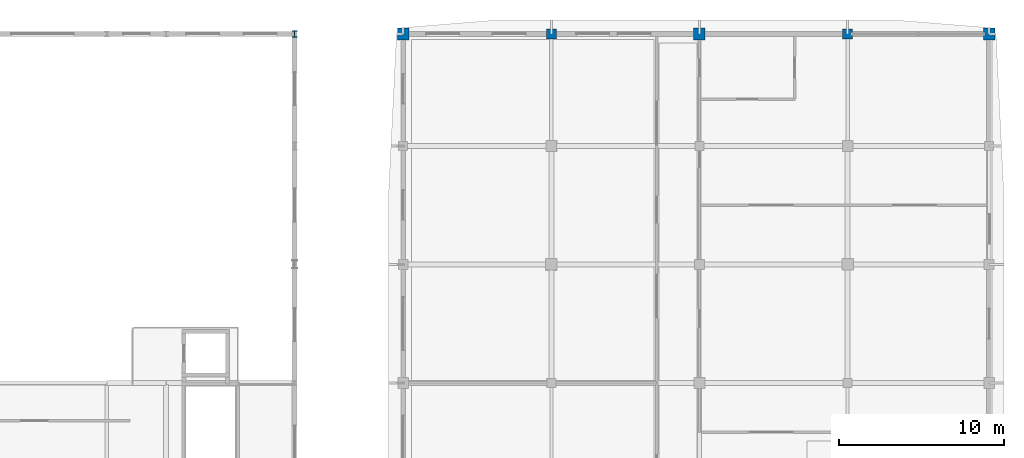
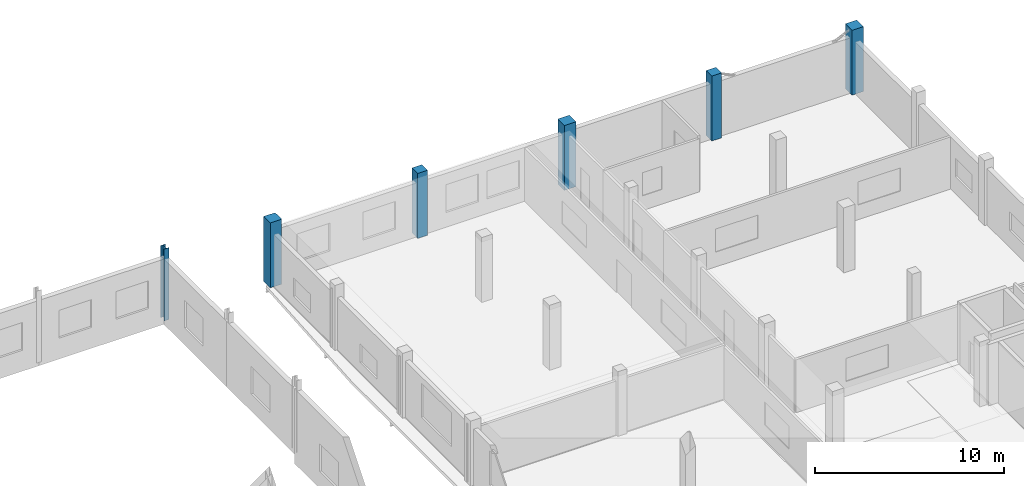
# One storey, part 27 of 121: 6 columns.
"""IFC4 building model written with IfcOpenShell, lengths in metres."""

from ifc_helpers import new_model, si_unit, direction, frame, origin, origin_2d, place, context, subcontext, project, spatial, rectangle, i_section, extrude, material, material_profile, profile_set, type_object, element, save


model = new_model("IFC4")

# Units and contexts
model_context = context("Model", 3, precision=1e-05, world=origin(), true_north=direction((0.0, 1.0)))
body_context = subcontext(model_context, "Body", "Model", "MODEL_VIEW")
ifc_project = project(units=[si_unit("LENGTHUNIT", "METRE"), si_unit("AREAUNIT", "SQUARE_METRE"), si_unit("VOLUMEUNIT", "CUBIC_METRE"), si_unit("PLANEANGLEUNIT", "RADIAN"), si_unit("MASSUNIT", "GRAM", prefix="KILO")], contexts=[model_context])

# Site, building, storey
site_placement = place(None, origin())
site = spatial("IfcSite", under=ifc_project, at=site_placement, CompositionType="ELEMENT")
building_placement = place(site_placement, origin())
building = spatial("IfcBuilding", under=site, at=building_placement, Name="Vinh Khe Railworks Police Headquarters", CompositionType="ELEMENT")
storey_placement = place(building_placement, frame((0.0, 0.0, 4.800048828125)))
storey = spatial("IfcBuildingStorey", under=building, at=storey_placement, Name="L01", CompositionType="ELEMENT", Elevation=4.800048828125)

# Columns
ifc_material_1 = material(Name="Concrete C40/50 (B40)", Category="concrete")
ifc_material_profile_1 = material_profile(ifc_material_1, rectangle(XDim=0.60009765625, YDim=0.60009765625, at=origin_2d()), Name="RC 600x600")
ifc_profile_set_1 = profile_set([ifc_material_profile_1], Name="Concrete C40/50 (B40)")
column_type_1 = type_object("IfcColumnType", Name="RC Column RC 600x600", PredefinedType="COLUMN", material=ifc_profile_set_1)
for number, where, z_axis, x_axis, name in (
    (1, (87.0, 166.39990234375, 0.0), (0.0, 0.0, 1.0), (1.0, 0.0, 0.0), "Column COL-L01-CC-05-1268"),
    (2, (105.0, 166.39990234375, 0.0), (0.0, 0.0, 1.0), (1.0, 0.0, 0.0), "Column COL-L01-CC-05-1390"),
):
    element("IfcColumn", number, at=place(storey_placement, frame(where, z_axis=z_axis, x_axis=x_axis)), inside=storey, type_object=column_type_1, Name=name, PredefinedType="COLUMN", context=body_context, shape_type="SweptSolid", body=[
        extrude(rectangle(XDim=0.60009765625, YDim=0.60009765625, at=origin_2d()), origin(), (0.0, 0.0, 1.0), 4.199951171875),
    ])
ifc_material_profile_2 = material_profile(ifc_material_1, rectangle(XDim=0.699951171875, YDim=0.699951171875, at=origin_2d()), Name="RC 700x700")
ifc_profile_set_2 = profile_set([ifc_material_profile_2], Name="Concrete C40/50 (B40)")
column_type_2 = type_object("IfcColumnType", Name="RC Column RC 700x700", PredefinedType="COLUMN", material=ifc_profile_set_2)
for number, where, z_axis, x_axis, name in (
    (3, (78.0, 166.39990234375, 0.0), (0.0, 0.0, 1.0), (1.0, 0.0, 0.0), "Column COL-L01-CC-03-1207"),
    (4, (96.0, 166.39990234375, 0.0), (0.0, 0.0, 1.0), (1.0, 0.0, 0.0), "Column COL-L01-CC-03-1329"),
    (5, (113.60009765625, 166.39990234375, 0.0), (0.0, 0.0, 1.0), (1.0, 0.0, 0.0), "Column COL-L01-CC-03-1451"),
):
    element("IfcColumn", number, at=place(storey_placement, frame(where, z_axis=z_axis, x_axis=x_axis)), inside=storey, type_object=column_type_2, Name=name, PredefinedType="COLUMN", context=body_context, shape_type="SweptSolid", body=[
        extrude(rectangle(XDim=0.699951171875, YDim=0.699951171875, at=origin_2d()), origin(), (0.0, 0.0, 1.0), 4.199951171875),
    ])
ifc_material_2 = material(Name="Steel S355JR", Category="steel")
ifc_material_profile_3 = material_profile(ifc_material_2, i_section(OverallWidth=0.300048828125, OverallDepth=0.389892578125, WebThickness=0.010986328125, FlangeThickness=0.01904296875, FilletRadius=0.027099609375, at=origin_2d()), Name="HEA 400")
ifc_profile_set_3 = profile_set([ifc_material_profile_3], Name="Steel S355JR")
column_type_3 = type_object("IfcColumnType", Name="Steel Column HEA 400", PredefinedType="COLUMN", material=ifc_profile_set_3)
column_placement = place(storey_placement, frame((71.39990234375, 166.39990234375, 0.0), z_axis=(0.0, 0.0, 1.0), x_axis=(1.0, 0.0, 0.0)))
element("IfcColumn", 6, at=column_placement, inside=storey, type_object=column_type_3, Name="Column COL-L01-SC-15-1150", PredefinedType="COLUMN", context=body_context, shape_type="SweptSolid", body=[
    extrude(i_section(OverallWidth=0.300048828125, OverallDepth=0.389892578125, WebThickness=0.010986328125, FlangeThickness=0.01904296875, FilletRadius=0.027099609375, at=origin_2d()), origin(), (0.0, 0.0, 1.0), 4.64990234375),
])

save(model, "model.ifc")
